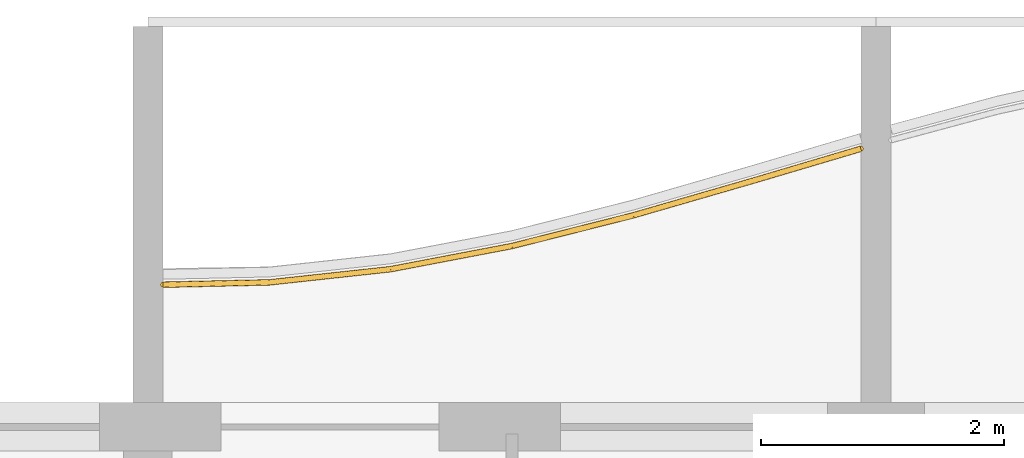
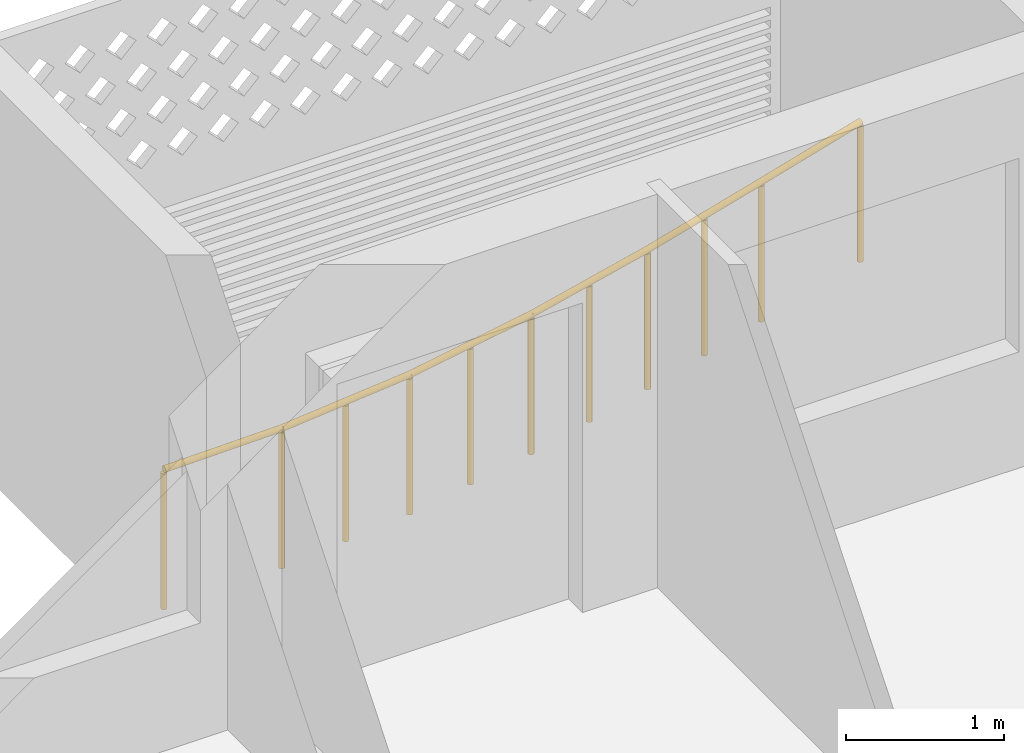
# One storey, part 26 of 44: 1 railing.
"""IFC4 building model written with IfcOpenShell, lengths in metres."""

from ifc_helpers import new_model, si_unit, direction, frame, origin, origin_2d, place, context, subcontext, project, spatial, circle, extrude, material, type_object, element, save


model = new_model("IFC4")

# Units and contexts
model_context = context("Model", 3, precision=1e-05, world=origin(), true_north=direction((0.0, 1.0)))
body_context = subcontext(model_context, "Body", "Model", "MODEL_VIEW")
ifc_project = project(units=[si_unit("LENGTHUNIT", "METRE"), si_unit("AREAUNIT", "SQUARE_METRE"), si_unit("VOLUMEUNIT", "CUBIC_METRE"), si_unit("PLANEANGLEUNIT", "RADIAN"), si_unit("MASSUNIT", "GRAM", prefix="KILO")], contexts=[model_context])

# Site, building, storey
site_placement = place(None, origin())
site = spatial("IfcSite", under=ifc_project, at=site_placement, CompositionType="ELEMENT")
building_placement = place(site_placement, origin())
building = spatial("IfcBuilding", under=site, at=building_placement, Name="Poui Terraces", CompositionType="ELEMENT")
storey_placement = place(building_placement, frame((0.0, 0.0, 26.699951171875)))
storey = spatial("IfcBuildingStorey", under=building, at=storey_placement, Name="L06", CompositionType="ELEMENT", Elevation=26.699951171875)

# Railing
ifc_material = material(Name="Painted steel fretwork", Category="steel")
railing_type = type_object("IfcRailingType", Name="BALCONY GUARD 1100", PredefinedType="GUARDRAIL", material=ifc_material)
railing_placement = place(storey_placement, frame((30.125, 45.97216796875, 0.0)))
element("IfcRailing", 1, at=railing_placement, inside=storey, type_object=railing_type, Name="BALCONY GUARD", PredefinedType="GUARDRAIL", context=body_context, shape_type="SweptSolid", body=[
    extrude(circle(Radius=0.02392578125, at=origin_2d()), frame((0.0, 0.0, 1.076171875), z_axis=(0.99976326146, 0.021758240623, 0.0), x_axis=(-0.021758240623, 0.99976326146, 0.0)), (0.0, 0.0, 1.0), 0.875244140625),
    extrude(circle(Radius=0.02392578125, at=origin_2d()), frame((0.875, 0.01904296875, 1.076171875), z_axis=(0.994124040351, 0.108246904784, 0.0), x_axis=(-0.108246904784, 0.994124040351, 0.0)), (0.0, 0.0, 1.0), 1.005859375),
    extrude(circle(Radius=0.02392578125, at=origin_2d()), frame((1.875, 0.1279296875, 1.076171875), z_axis=(0.982258715668, 0.187530838782, 0.0), x_axis=(-0.187530838782, 0.982258715668, 0.0)), (0.0, 0.0, 1.0), 1.01806640625),
    extrude(circle(Radius=0.02392578125, at=origin_2d()), frame((2.875, 0.31884765625, 1.076171875), z_axis=(0.969470524151, 0.245207876714, 0.0), x_axis=(-0.245207876714, 0.969470524151, 0.0)), (0.0, 0.0, 1.0), 1.031494140625),
    extrude(circle(Radius=0.02392578125, at=origin_2d()), frame((3.875, 0.57177734375, 1.076171875), z_axis=(0.960669700127, 0.277693585193, 0.0), x_axis=(-0.277693585193, 0.960669700127, 0.0)), (0.0, 0.0, 1.0), 1.041015625),
    extrude(circle(Radius=0.02392578125, at=origin_2d()), frame((4.875, 0.86083984375, 1.076171875), z_axis=(0.9587927149, 0.284106546658, 0.0), x_axis=(-0.284106546658, 0.9587927149, 0.0)), (0.0, 0.0, 1.0), 0.91259765625),
    extrude(circle(Radius=0.02099609375, at=origin_2d()), origin(), (0.0, 0.0, 1.0), 1.052001953125),
    extrude(circle(Radius=0.02099609375, at=origin_2d()), frame((0.875, 0.01904296875, 0.0)), (0.0, 0.0, 1.0), 1.052001953125),
    extrude(circle(Radius=0.02099609375, at=origin_2d()), frame((1.375, 0.073486328125, 0.0)), (0.0, 0.0, 1.0), 1.052001953125),
    extrude(circle(Radius=0.02099609375, at=origin_2d()), frame((1.875, 0.1279296875, 0.0)), (0.0, 0.0, 1.0), 1.052001953125),
    extrude(circle(Radius=0.02099609375, at=origin_2d()), frame((2.375, 0.223388671875, 0.0)), (0.0, 0.0, 1.0), 1.052001953125),
    extrude(circle(Radius=0.02099609375, at=origin_2d()), frame((2.875, 0.31884765625, 0.0)), (0.0, 0.0, 1.0), 1.052001953125),
    extrude(circle(Radius=0.02099609375, at=origin_2d()), frame((3.375, 0.4453125, 0.0)), (0.0, 0.0, 1.0), 1.052001953125),
    extrude(circle(Radius=0.02099609375, at=origin_2d()), frame((3.875, 0.57177734375, 0.0)), (0.0, 0.0, 1.0), 1.052001953125),
    extrude(circle(Radius=0.02099609375, at=origin_2d()), frame((4.375, 0.71630859375, 0.0)), (0.0, 0.0, 1.0), 1.052001953125),
    extrude(circle(Radius=0.02099609375, at=origin_2d()), frame((4.875, 0.86083984375, 0.0)), (0.0, 0.0, 1.0), 1.052001953125),
    extrude(circle(Radius=0.02099609375, at=origin_2d()), frame((5.75, 1.1201171875, 0.0)), (0.0, 0.0, 1.0), 1.052001953125),
])

save(model, "model.ifc")
